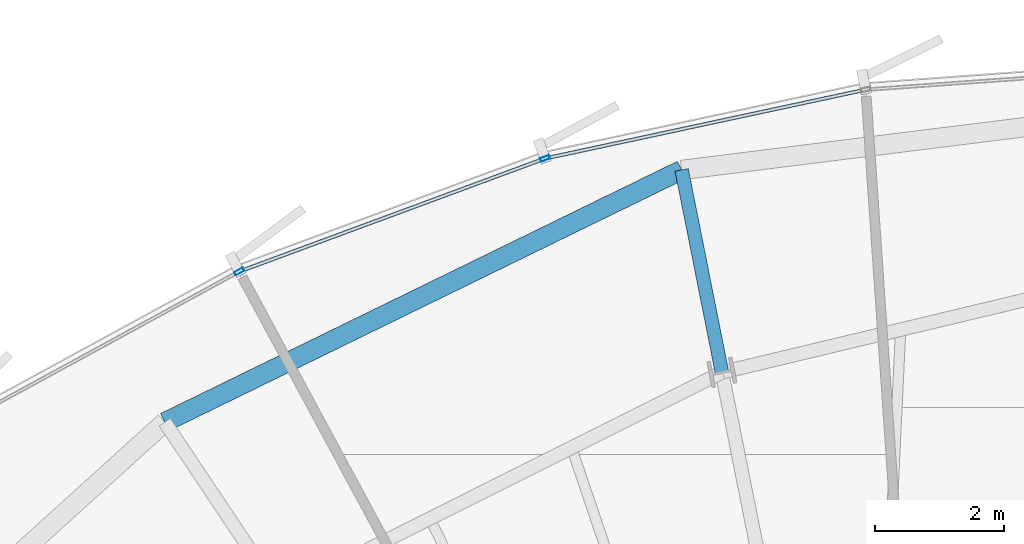
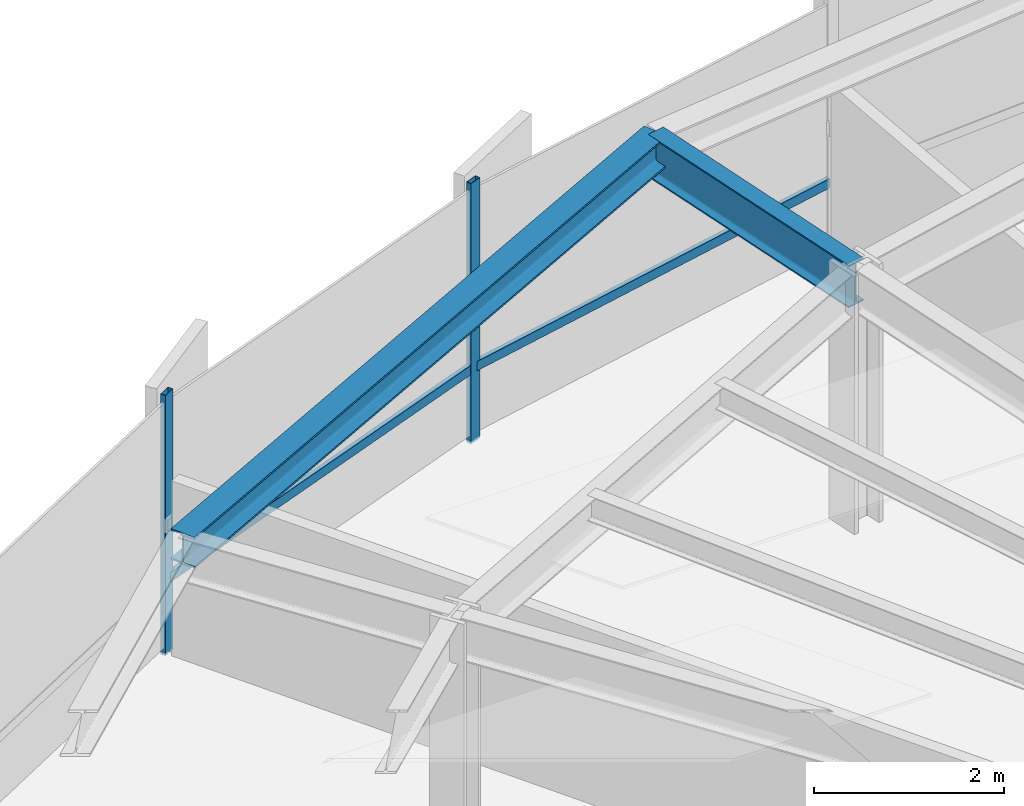
# One storey, part 21 of 35: 4 members, 2 beams, 1 element without a shape of its own.
"""IFC4 building model written with IfcOpenShell, lengths in metres."""

from ifc_helpers import new_model, si_unit, direction, frame, origin, origin_2d, place, context, subcontext, project, spatial, hollow_rectangle, i_section, extrude, source, transform, mapped, material, layer, layer_set, material_profile, profile_set, type_object, element, aggregate, save


model = new_model("IFC4")

# Units and contexts
model_context = context("Model", 3, precision=1e-05, world=origin(), true_north=direction((0.0, 1.0)))
body_context = subcontext(model_context, "Body", "Model", "MODEL_VIEW")
ifc_project = project(units=[si_unit("LENGTHUNIT", "METRE"), si_unit("AREAUNIT", "SQUARE_METRE"), si_unit("VOLUMEUNIT", "CUBIC_METRE"), si_unit("PLANEANGLEUNIT", "RADIAN"), si_unit("MASSUNIT", "GRAM", prefix="KILO"), si_unit("THERMODYNAMICTEMPERATUREUNIT", "KELVIN")], contexts=[model_context])

# Site, building, storey
site_placement = place(None, origin())
site = spatial("IfcSite", under=ifc_project, at=site_placement, CompositionType="ELEMENT")
building_placement = place(site_placement, origin())
building = spatial("IfcBuilding", under=site, at=building_placement, Name="Kethvar Cultural Tower", CompositionType="ELEMENT")
storey_placement = place(building_placement, frame((0.0, 0.0, 100.0)))
storey = spatial("IfcBuildingStorey", under=building, at=storey_placement, Name="L24", CompositionType="ELEMENT", Elevation=100.0)

# Beams
ifc_material_1 = material(Name="Steel S355J2", Category="steel")
ifc_material_profile_1 = material_profile(ifc_material_1, i_section(OverallWidth=0.2099609375, OverallDepth=0.550048828125, WebThickness=0.010986328125, FlangeThickness=0.01708984375, FilletRadius=0.02392578125, at=origin_2d()), Name="Steel S355J2 — IPE550")
ifc_profile_set_1 = profile_set([ifc_material_profile_1], Name="Steel S355J2 — IPE550")
beam_type_1 = type_object("IfcBeamType", Name="BM-IPE550", PredefinedType="BEAM", material=ifc_profile_set_1)
shared_shape_1 = source(origin(), body_context, "Body", "SweptSolid", [
    extrude(i_section(OverallWidth=0.2099609375, OverallDepth=0.550048828125, WebThickness=0.010986328125, FlangeThickness=0.01708984375, FilletRadius=0.02392578125, at=origin_2d()), origin(), (0.0, 0.0, 1.0), 3.199951171875),
])
beam_1_placement = place(storey_placement, frame((42.9189453125, 47.311279296875, 3.072998046875), z_axis=(-0.195088965533, 0.980785550224, 0.0), x_axis=(-0.980785550224, -0.195088965533, 0.0)))
element("IfcBeam", 1, at=beam_1_placement, inside=storey, type_object=beam_type_1, Name="L24 Perimeter Cantilever Beam RC-05", PredefinedType="BEAM", context=body_context, shape_type="MappedRepresentation", body=[
    mapped(shared_shape_1, transform((0.0, 0.0, 0.0), scale=1.0)),
])
ifc_material_profile_2 = material_profile(ifc_material_1, i_section(OverallWidth=0.300048828125, OverallDepth=0.39990234375, WebThickness=0.013427734375, FlangeThickness=0.02392578125, FilletRadius=0.027099609375, at=origin_2d()), Name="Steel S355J2 — HEB400")
ifc_profile_set_2 = profile_set([ifc_material_profile_2], Name="Steel S355J2 — HEB400")
beam_type_2 = type_object("IfcBeamType", Name="BM-SP400", PredefinedType="SPANDREL", material=ifc_profile_set_2)
shared_shape_2 = source(origin(), body_context, "Body", "SweptSolid", [
    extrude(i_section(OverallWidth=0.300048828125, OverallDepth=0.39990234375, WebThickness=0.013427734375, FlangeThickness=0.02392578125, FilletRadius=0.027099609375, at=origin_2d()), origin(), (0.0, 0.0, 1.0), 8.91845703125),
])
beam_2_placement = place(storey_placement, frame((42.294677734375, 50.44970703125, 3.14794921875), z_axis=(-0.898683713341, -0.438597290662, 0.0), x_axis=(0.438597290662, -0.898683713341, 0.0)))
element("IfcBeam", 2, at=beam_2_placement, inside=storey, type_object=beam_type_2, Name="L24 Perimeter Spandrel Beam SP-05", PredefinedType="SPANDREL", context=body_context, shape_type="MappedRepresentation", body=[
    mapped(shared_shape_2, transform((0.0, 0.0, 0.0), scale=1.0)),
])

# Curtain wall, members
ifc_material_2 = material(Name="Aluminium 6063-T6", Category="aluminium")
ifc_layer = layer(ifc_material_2, 0.179931640625, Name="Aluminium 6063-T6", Category="aluminium")
ifc_layer_set = layer_set([ifc_layer], Name="Aluminium 6063-T6 (180 mm)")
curtain_wall_type = type_object("IfcCurtainWallType", Name="CW-SYS-03-Z2", PredefinedType="NOTDEFINED", material=ifc_layer_set)
curtain_wall_placement = place(storey_placement, origin())
curtain_wall = element("IfcCurtainWall", 3, at=curtain_wall_placement, inside=storey, type_object=curtain_wall_type, Name="L24 Curtain Wall Run 02", PredefinedType="NOTDEFINED")
ifc_material_profile_3 = material_profile(ifc_material_2, hollow_rectangle(XDim=0.06005859375, YDim=0.14990234375, WallThickness=0.0048828125, at=origin_2d()), Name="Aluminium 6063-T6 — RHS150x60x5")
ifc_profile_set_3 = profile_set([ifc_material_profile_3], Name="Aluminium 6063-T6 — RHS150x60x5")
member_type_1 = type_object("IfcMemberType", Name="CW-SYS-03-Z2-MUL", PredefinedType="MULLION", material=ifc_profile_set_3)
shared_shape_3 = source(origin(), body_context, "Body", "SweptSolid", [
    extrude(hollow_rectangle(XDim=0.06005859375, YDim=0.14990234375, WallThickness=0.0048828125, at=origin_2d()), origin(), (0.0, 0.0, 1.0), 3.35009765625),
])
member_1_placement = place(storey_placement, frame((40.17626953125, 50.628173828125, 0.0), z_axis=(0.0, 0.0, 1.0), x_axis=(0.346968389862, -0.937876823702, 0.0)))
member_1 = element("IfcMember", 4, at=member_1_placement, type_object=member_type_1, Name="CW-L24-R02 Mullion 4", PredefinedType="MULLION", context=body_context, shape_type="MappedRepresentation", body=[
    mapped(shared_shape_3, transform((0.0, 0.0, 0.0), scale=1.0)),
])
member_2_placement = place(storey_placement, frame((35.43408203125, 48.875244140625, 0.0), z_axis=(0.0, 0.0, 1.0), x_axis=(0.478523288489, -0.878074861486, 0.0)))
member_2 = element("IfcMember", 5, at=member_2_placement, type_object=member_type_1, Name="CW-L24-R02 Mullion 5", PredefinedType="MULLION", context=body_context, shape_type="MappedRepresentation", body=[
    mapped(shared_shape_3, transform((0.0, 0.0, 0.0), scale=1.0)),
])
ifc_material_profile_4 = material_profile(ifc_material_2, hollow_rectangle(XDim=0.054931640625, YDim=0.1201171875, WallThickness=0.00390625, at=origin_2d()), Name="Aluminium 6063-T6 — RHS120x55x4")
ifc_profile_set_4 = profile_set([ifc_material_profile_4], Name="Aluminium 6063-T6 — RHS120x55x4")
member_type_2 = type_object("IfcMemberType", Name="CW-SYS-03-Z2-TRN", PredefinedType="USERDEFINED", material=ifc_profile_set_4)
shared_shape_4 = source(origin(), body_context, "Body", "SweptSolid", [
    extrude(hollow_rectangle(XDim=0.054931640625, YDim=0.1201171875, WallThickness=0.00390625, at=origin_2d()), origin(), (0.0, 0.0, 1.0), 5.015869140625),
])
member_3_placement = place(storey_placement, frame((45.10693359375, 51.68603515625, 0.949951171875), z_axis=(-0.97770615111, -0.209977813307, 0.0), x_axis=(0.209977813307, -0.97770615111, 0.0)))
member_3 = element("IfcMember", 6, at=member_3_placement, type_object=member_type_2, Name="CW-L24-R02 Transom 3", ObjectType="TRANSOM", PredefinedType="USERDEFINED", context=body_context, shape_type="MappedRepresentation", body=[
    mapped(shared_shape_4, transform((0.0, 0.0, 0.0), scale=1.0)),
])
shared_shape_5 = source(origin(), body_context, "Body", "SweptSolid", [
    extrude(hollow_rectangle(XDim=0.054931640625, YDim=0.1201171875, WallThickness=0.00390625, at=origin_2d()), origin(), (0.0, 0.0, 1.0), 4.98583984375),
])
member_4_placement = place(storey_placement, frame((40.1357421875, 50.61328125, 0.949951171875), z_axis=(-0.937871563423, -0.346982608386, 0.0), x_axis=(0.346982608386, -0.937871563423, 0.0)))
member_4 = element("IfcMember", 7, at=member_4_placement, type_object=member_type_2, Name="CW-L24-R02 Transom 4", ObjectType="TRANSOM", PredefinedType="USERDEFINED", context=body_context, shape_type="MappedRepresentation", body=[
    mapped(shared_shape_5, transform((0.0, 0.0, 0.0), scale=1.0)),
])
aggregate(curtain_wall, [member_1, member_2, member_3, member_4])

save(model, "model.ifc")
